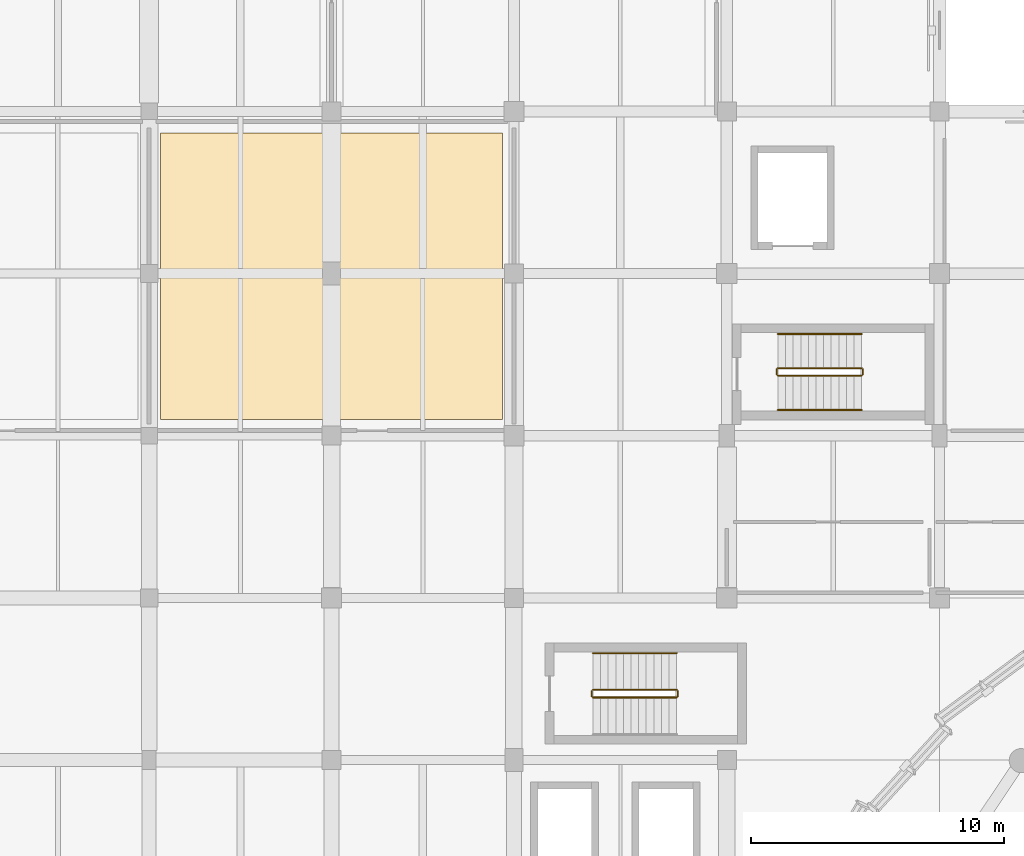
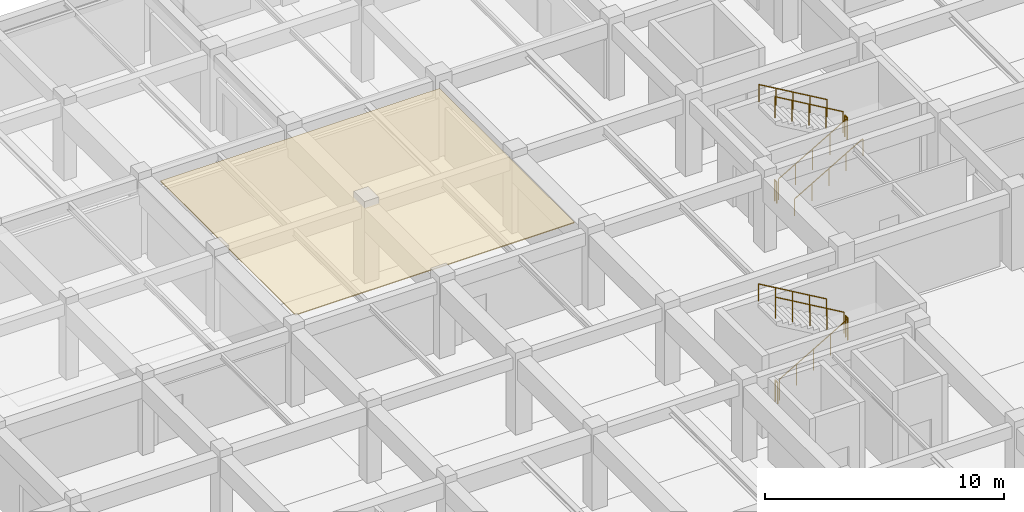
# One storey, part 66 of 71: 11 railings, 1 covering.
"""IFC4 building model written with IfcOpenShell, lengths in metres."""

from ifc_helpers import new_model, si_unit, direction, frame, origin, origin_2d, place, context, subcontext, project, spatial, polyline, circle, outline, extrude, material, layer, layer_set, type_object, element, save


model = new_model("IFC4")

# Units and contexts
model_context = context("Model", 3, precision=1e-05, world=origin(), true_north=direction((0.0, 1.0)))
body_context = subcontext(model_context, "Body", "Model", "MODEL_VIEW")
ifc_project = project(units=[si_unit("LENGTHUNIT", "METRE"), si_unit("AREAUNIT", "SQUARE_METRE"), si_unit("VOLUMEUNIT", "CUBIC_METRE"), si_unit("PLANEANGLEUNIT", "RADIAN"), si_unit("MASSUNIT", "GRAM", prefix="KILO")], contexts=[model_context])

# Site, building, storey
site_placement = place(None, origin())
site = spatial("IfcSite", under=ifc_project, at=site_placement, CompositionType="ELEMENT")
building_placement = place(site_placement, origin())
building = spatial("IfcBuilding", under=site, at=building_placement, Name="Korsvaeld Concert Hall", CompositionType="ELEMENT")
storey_placement = place(building_placement, frame((0.0, 0.0, 4.800048828125)))
storey = spatial("IfcBuildingStorey", under=building, at=storey_placement, Name="L01", CompositionType="ELEMENT", Elevation=4.800048828125)

# Covering
ifc_material_1 = material(Name="Suspended sculpted European oak acoustic ceiling")
ifc_layer = layer(ifc_material_1, 0.044921875)
ifc_layer_set = layer_set([ifc_layer], Name="Suspended sculpted European oak acoustic ceiling")
covering_type = type_object("IfcCoveringType", Name="COV-CEIL-OAK", PredefinedType="CEILING", material=ifc_layer_set)
covering_placement = place(storey_placement, frame((0.0, 0.0, 3.8349609375)))
element("IfcCovering", 1, at=covering_placement, inside=storey, type_object=covering_type, Name="Acoustic oak reflector ceiling L01-17", PredefinedType="CEILING", context=body_context, shape_type="SweptSolid", body=[
    extrude(outline(polyline([(49.949951171875, 101.550048828125), (49.949951171875, 90.25), (36.449951171875, 90.25), (36.449951171875, 101.550048828125), (49.949951171875, 101.550048828125)])), origin(), (0.0, 0.0, 1.0), 0.044921875),
])

# Railings
ifc_material_2 = material(Name="Powder-coated steel and bronze stair guardrail", Category="steel")
railing_type_1 = type_object("IfcRailingType", Name="RL-STAIR-GUARD-120", PredefinedType="GUARDRAIL", material=ifc_material_2)
railing_1_placement = place(storey_placement, frame((53.52001953125, 79.27001953125, 0.175048828125)))
element("IfcRailing", 2, at=railing_1_placement, inside=storey, type_object=railing_type_1, Name="L01 ST-K1 stair guard 1", PredefinedType="GUARDRAIL", context=body_context, shape_type="SweptSolid", body=[
    extrude(circle(Radius=0.02392578125, at=origin_2d()), frame((0.0, 0.0, 1.076171875), z_axis=(0.863804395585, 0.0, 0.503827317807), x_axis=(0.0, 1.0, 0.0)), (0.0, 0.0, 1.0), 3.8203125),
    extrude(circle(Radius=0.02099609375, at=origin_2d()), origin(), (0.0, 0.0, 1.0), 1.052001953125),
    extrude(circle(Radius=0.02099609375, at=origin_2d()), frame((0.824951171875, 0.0, 0.481201171875)), (0.0, 0.0, 1.0), 1.052001953125),
    extrude(circle(Radius=0.02099609375, at=origin_2d()), frame((1.64990234375, 0.0, 0.96240234375)), (0.0, 0.0, 1.0), 1.052001953125),
    extrude(circle(Radius=0.02099609375, at=origin_2d()), frame((2.47509765625, 0.0, 1.443603515625)), (0.0, 0.0, 1.0), 1.052001953125),
    extrude(circle(Radius=0.02099609375, at=origin_2d()), frame((3.300048828125, 0.0, 1.9248046875)), (0.0, 0.0, 1.0), 1.052001953125),
])
railing_2_placement = place(storey_placement, frame((56.8701171875, 79.320068359375, 2.099853515625)))
element("IfcRailing", 3, at=railing_2_placement, inside=storey, type_object=railing_type_1, Name="L01 ST-K1 stair guard 2", PredefinedType="GUARDRAIL", context=body_context, shape_type="SweptSolid", body=[
    extrude(circle(Radius=0.02392578125, at=origin_2d()), frame((0.0, 0.0, 1.076171875), z_axis=(0.0, 1.0, 0.0), x_axis=(-1.0, 0.0, 0.0)), (0.0, 0.0, 1.0), 0.199951171875),
    extrude(circle(Radius=0.02099609375, at=origin_2d()), origin(), (0.0, 0.0, 1.0), 1.052001953125),
    extrude(circle(Radius=0.02099609375, at=origin_2d()), frame((0.0, 0.199951171875, 0.0)), (0.0, 0.0, 1.0), 1.052001953125),
])
railing_3_placement = place(storey_placement, frame((56.820068359375, 79.570068359375, 2.27490234375)))
element("IfcRailing", 4, at=railing_3_placement, inside=storey, type_object=railing_type_1, Name="L01 ST-K1 stair guard 3", PredefinedType="GUARDRAIL", context=body_context, shape_type="SweptSolid", body=[
    extrude(circle(Radius=0.02392578125, at=origin_2d()), frame((0.0, 0.0, 1.076171875), z_axis=(-0.863776583165, 0.0, 0.503874998761), x_axis=(0.0, -1.0, 0.0)), (0.0, 0.0, 1.0), 3.820556640625),
    extrude(circle(Radius=0.02099609375, at=origin_2d()), origin(), (0.0, 0.0, 1.0), 1.052001953125),
    extrude(circle(Radius=0.02099609375, at=origin_2d()), frame((-0.824951171875, 0.0, 0.481201171875)), (0.0, 0.0, 1.0), 1.052001953125),
    extrude(circle(Radius=0.02099609375, at=origin_2d()), frame((-1.64990234375, 0.0, 0.96240234375)), (0.0, 0.0, 1.0), 1.052001953125),
    extrude(circle(Radius=0.02099609375, at=origin_2d()), frame((-2.47509765625, 0.0, 1.44384765625)), (0.0, 0.0, 1.0), 1.052001953125),
    extrude(circle(Radius=0.02099609375, at=origin_2d()), frame((-3.300048828125, 0.0, 1.925048828125)), (0.0, 0.0, 1.0), 1.052001953125),
])
railing_4_placement = place(storey_placement, frame((53.469970703125, 79.320068359375, 0.0)))
element("IfcRailing", 5, at=railing_4_placement, inside=storey, type_object=railing_type_1, Name="L01 ST-K1 stair guard 4", PredefinedType="GUARDRAIL", context=body_context, shape_type="SweptSolid", body=[
    extrude(circle(Radius=0.02392578125, at=origin_2d()), frame((0.0, 0.0, 1.076171875), z_axis=(0.0, 1.0, 0.0), x_axis=(-1.0, 0.0, 0.0)), (0.0, 0.0, 1.0), 0.199951171875),
    extrude(circle(Radius=0.02099609375, at=origin_2d()), origin(), (0.0, 0.0, 1.0), 1.052001953125),
    extrude(circle(Radius=0.02099609375, at=origin_2d()), frame((0.0, 0.199951171875, 0.0)), (0.0, 0.0, 1.0), 1.052001953125),
])
railing_5_placement = place(storey_placement, frame((60.820068359375, 91.969970703125, 0.175048828125)))
element("IfcRailing", 6, at=railing_5_placement, inside=storey, type_object=railing_type_1, Name="L01 ST-K5 stair guard 1", PredefinedType="GUARDRAIL", context=body_context, shape_type="SweptSolid", body=[
    extrude(circle(Radius=0.02392578125, at=origin_2d()), frame((0.0, 0.0, 1.076171875), z_axis=(0.863804395585, 0.0, 0.503827317807), x_axis=(0.0, 1.0, 0.0)), (0.0, 0.0, 1.0), 3.8203125),
    extrude(circle(Radius=0.02099609375, at=origin_2d()), origin(), (0.0, 0.0, 1.0), 1.052001953125),
    extrude(circle(Radius=0.02099609375, at=origin_2d()), frame((0.824951171875, 0.0, 0.481201171875)), (0.0, 0.0, 1.0), 1.052001953125),
    extrude(circle(Radius=0.02099609375, at=origin_2d()), frame((1.64990234375, 0.0, 0.96240234375)), (0.0, 0.0, 1.0), 1.052001953125),
    extrude(circle(Radius=0.02099609375, at=origin_2d()), frame((2.47509765625, 0.0, 1.443603515625)), (0.0, 0.0, 1.0), 1.052001953125),
    extrude(circle(Radius=0.02099609375, at=origin_2d()), frame((3.300048828125, 0.0, 1.9248046875)), (0.0, 0.0, 1.0), 1.052001953125),
])
railing_6_placement = place(storey_placement, frame((64.169921875, 92.02001953125, 2.099853515625)))
element("IfcRailing", 7, at=railing_6_placement, inside=storey, type_object=railing_type_1, Name="L01 ST-K5 stair guard 2", PredefinedType="GUARDRAIL", context=body_context, shape_type="SweptSolid", body=[
    extrude(circle(Radius=0.02392578125, at=origin_2d()), frame((0.0, 0.0, 1.076171875), z_axis=(0.0, 1.0, 0.0), x_axis=(-1.0, 0.0, 0.0)), (0.0, 0.0, 1.0), 0.199951171875),
    extrude(circle(Radius=0.02099609375, at=origin_2d()), origin(), (0.0, 0.0, 1.0), 1.052001953125),
    extrude(circle(Radius=0.02099609375, at=origin_2d()), frame((0.0, 0.199951171875, 0.0)), (0.0, 0.0, 1.0), 1.052001953125),
])
railing_7_placement = place(storey_placement, frame((64.1201171875, 92.27001953125, 2.27490234375)))
element("IfcRailing", 8, at=railing_7_placement, inside=storey, type_object=railing_type_1, Name="L01 ST-K5 stair guard 3", PredefinedType="GUARDRAIL", context=body_context, shape_type="SweptSolid", body=[
    extrude(circle(Radius=0.02392578125, at=origin_2d()), frame((0.0, 0.0, 1.076171875), z_axis=(-0.863776583165, 0.0, 0.503874998761), x_axis=(0.0, -1.0, 0.0)), (0.0, 0.0, 1.0), 3.820556640625),
    extrude(circle(Radius=0.02099609375, at=origin_2d()), origin(), (0.0, 0.0, 1.0), 1.052001953125),
    extrude(circle(Radius=0.02099609375, at=origin_2d()), frame((-0.824951171875, 0.0, 0.481201171875)), (0.0, 0.0, 1.0), 1.052001953125),
    extrude(circle(Radius=0.02099609375, at=origin_2d()), frame((-1.64990234375, 0.0, 0.96240234375)), (0.0, 0.0, 1.0), 1.052001953125),
    extrude(circle(Radius=0.02099609375, at=origin_2d()), frame((-2.47509765625, 0.0, 1.44384765625)), (0.0, 0.0, 1.0), 1.052001953125),
    extrude(circle(Radius=0.02099609375, at=origin_2d()), frame((-3.300048828125, 0.0, 1.925048828125)), (0.0, 0.0, 1.0), 1.052001953125),
])
railing_8_placement = place(storey_placement, frame((60.77001953125, 92.02001953125, 0.0)))
element("IfcRailing", 9, at=railing_8_placement, inside=storey, type_object=railing_type_1, Name="L01 ST-K5 stair guard 4", PredefinedType="GUARDRAIL", context=body_context, shape_type="SweptSolid", body=[
    extrude(circle(Radius=0.02392578125, at=origin_2d()), frame((0.0, 0.0, 1.076171875), z_axis=(0.0, 1.0, 0.0), x_axis=(-1.0, 0.0, 0.0)), (0.0, 0.0, 1.0), 0.199951171875),
    extrude(circle(Radius=0.02099609375, at=origin_2d()), origin(), (0.0, 0.0, 1.0), 1.052001953125),
    extrude(circle(Radius=0.02099609375, at=origin_2d()), frame((0.0, 0.199951171875, 0.0)), (0.0, 0.0, 1.0), 1.052001953125),
])
ifc_material_3 = material(Name="European oak and bronze stair handrail")
railing_type_2 = type_object("IfcRailingType", Name="RL-STAIR-HAND-90", PredefinedType="HANDRAIL", material=ifc_material_3)
railing_9_placement = place(storey_placement, frame((56.820068359375, 81.02001953125, 2.27490234375)))
element("IfcRailing", 10, at=railing_9_placement, inside=storey, type_object=railing_type_2, Name="L01 ST-K1 stair handrail 2", PredefinedType="HANDRAIL", context=body_context, shape_type="SweptSolid", body=[
    extrude(circle(Radius=0.02392578125, at=origin_2d()), frame((0.0, 0.0, 0.8759765625), z_axis=(-0.863776583165, 0.0, 0.503874998761), x_axis=(0.0, -1.0, 0.0)), (0.0, 0.0, 1.0), 3.820556640625),
    extrude(circle(Radius=0.02099609375, at=origin_2d()), origin(), (0.0, 0.0, 1.0), 0.851806640625),
    extrude(circle(Radius=0.02099609375, at=origin_2d()), frame((-0.824951171875, 0.0, 0.481201171875)), (0.0, 0.0, 1.0), 0.851806640625),
    extrude(circle(Radius=0.02099609375, at=origin_2d()), frame((-1.64990234375, 0.0, 0.96240234375)), (0.0, 0.0, 1.0), 0.851806640625),
    extrude(circle(Radius=0.02099609375, at=origin_2d()), frame((-2.47509765625, 0.0, 1.44384765625)), (0.0, 0.0, 1.0), 0.851806640625),
    extrude(circle(Radius=0.02099609375, at=origin_2d()), frame((-3.300048828125, 0.0, 1.925048828125)), (0.0, 0.0, 1.0), 0.851806640625),
])
railing_10_placement = place(storey_placement, frame((60.820068359375, 90.6201171875, 0.175048828125)))
element("IfcRailing", 11, at=railing_10_placement, inside=storey, type_object=railing_type_2, Name="L01 ST-K5 stair handrail 1", PredefinedType="HANDRAIL", context=body_context, shape_type="SweptSolid", body=[
    extrude(circle(Radius=0.02392578125, at=origin_2d()), frame((0.0, 0.0, 0.8759765625), z_axis=(0.863804395585, 0.0, 0.503827317807), x_axis=(0.0, 1.0, 0.0)), (0.0, 0.0, 1.0), 3.8203125),
    extrude(circle(Radius=0.02099609375, at=origin_2d()), origin(), (0.0, 0.0, 1.0), 0.851806640625),
    extrude(circle(Radius=0.02099609375, at=origin_2d()), frame((0.824951171875, 0.0, 0.481201171875)), (0.0, 0.0, 1.0), 0.851806640625),
    extrude(circle(Radius=0.02099609375, at=origin_2d()), frame((1.64990234375, 0.0, 0.96240234375)), (0.0, 0.0, 1.0), 0.851806640625),
    extrude(circle(Radius=0.02099609375, at=origin_2d()), frame((2.47509765625, 0.0, 1.443603515625)), (0.0, 0.0, 1.0), 0.851806640625),
    extrude(circle(Radius=0.02099609375, at=origin_2d()), frame((3.300048828125, 0.0, 1.9248046875)), (0.0, 0.0, 1.0), 0.851806640625),
])
railing_11_placement = place(storey_placement, frame((64.1201171875, 93.6201171875, 2.27490234375)))
element("IfcRailing", 12, at=railing_11_placement, inside=storey, type_object=railing_type_2, Name="L01 ST-K5 stair handrail 2", PredefinedType="HANDRAIL", context=body_context, shape_type="SweptSolid", body=[
    extrude(circle(Radius=0.02392578125, at=origin_2d()), frame((0.0, 0.0, 0.8759765625), z_axis=(-0.863776583165, 0.0, 0.503874998761), x_axis=(0.0, -1.0, 0.0)), (0.0, 0.0, 1.0), 3.820556640625),
    extrude(circle(Radius=0.02099609375, at=origin_2d()), origin(), (0.0, 0.0, 1.0), 0.851806640625),
    extrude(circle(Radius=0.02099609375, at=origin_2d()), frame((-0.824951171875, 0.0, 0.481201171875)), (0.0, 0.0, 1.0), 0.851806640625),
    extrude(circle(Radius=0.02099609375, at=origin_2d()), frame((-1.64990234375, 0.0, 0.96240234375)), (0.0, 0.0, 1.0), 0.851806640625),
    extrude(circle(Radius=0.02099609375, at=origin_2d()), frame((-2.47509765625, 0.0, 1.44384765625)), (0.0, 0.0, 1.0), 0.851806640625),
    extrude(circle(Radius=0.02099609375, at=origin_2d()), frame((-3.300048828125, 0.0, 1.925048828125)), (0.0, 0.0, 1.0), 0.851806640625),
])

save(model, "model.ifc")
